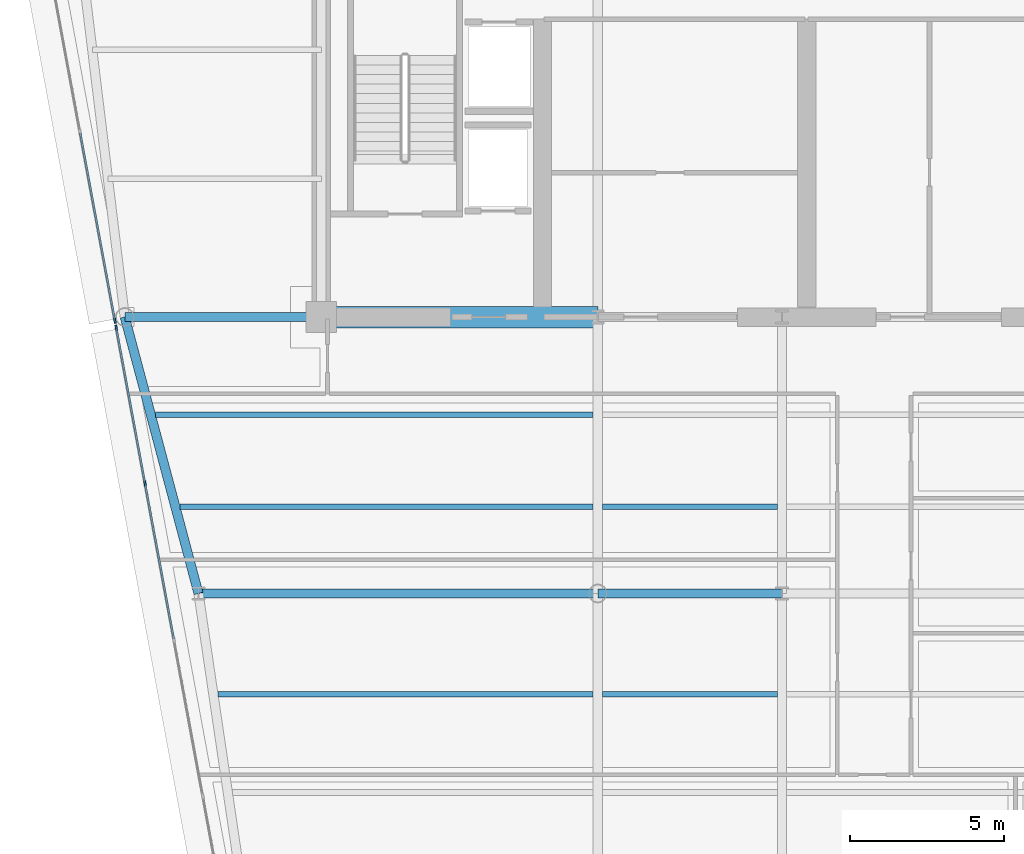
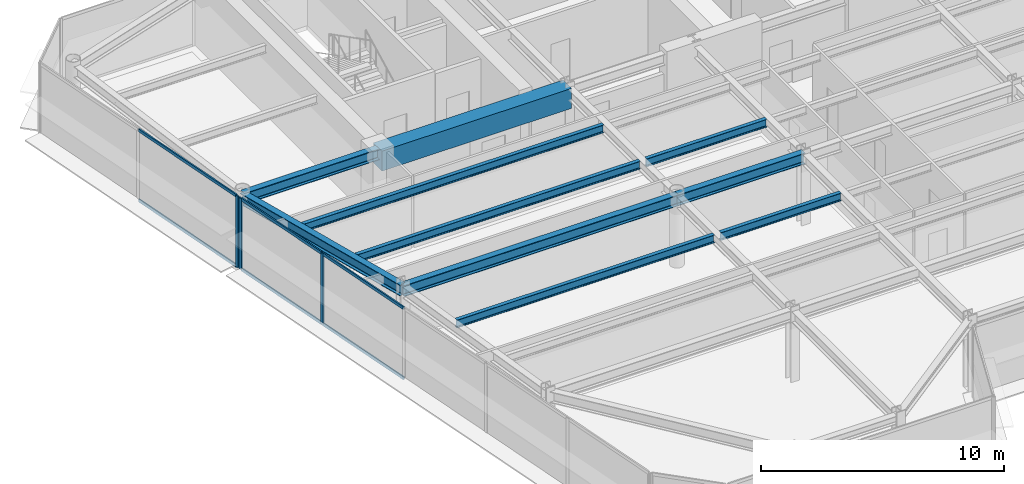
# One storey, part 4 of 16: 10 beams, 9 members, 2 elements without a shape of their own.
"""IFC4 building model written with IfcOpenShell, lengths in metres."""

from ifc_helpers import new_model, si_unit, direction, frame, origin, origin_2d, place, context, subcontext, project, spatial, rectangle, i_section, extrude, source, transform, mapped, material, layer, layer_set, material_profile, profile_set, type_object, element, aggregate, save


model = new_model("IFC4")

# Units and contexts
model_context = context("Model", 3, precision=1e-05, world=origin(), true_north=direction((0.0, 1.0)))
body_context = subcontext(model_context, "Body", "Model", "MODEL_VIEW")
ifc_project = project(units=[si_unit("LENGTHUNIT", "METRE"), si_unit("AREAUNIT", "SQUARE_METRE"), si_unit("VOLUMEUNIT", "CUBIC_METRE"), si_unit("PLANEANGLEUNIT", "RADIAN"), si_unit("MASSUNIT", "GRAM", prefix="KILO")], contexts=[model_context])

# Site, building, storey
site_placement = place(None, origin())
site = spatial("IfcSite", under=ifc_project, at=site_placement, CompositionType="ELEMENT")
building_placement = place(site_placement, origin())
building = spatial("IfcBuilding", under=site, at=building_placement, Name="Vaeldorn Concourse Tower", CompositionType="ELEMENT")
storey_placement = place(building_placement, frame((0.0, 0.0, 227.0)))
storey = spatial("IfcBuildingStorey", under=building, at=storey_placement, Name="L58", CompositionType="ELEMENT", Elevation=227.0)

# Beams
ifc_material_1 = material(Name="Concrete C50/60", Category="concrete")
ifc_material_profile_1 = material_profile(ifc_material_1, rectangle(XDim=0.699951171875, YDim=1.0, at=origin_2d()), Name="RC 700x1000")
ifc_profile_set_1 = profile_set([ifc_material_profile_1], Name="Concrete C50/60")
beam_type_1 = type_object("IfcBeamType", Name="BM-CB-RC700", PredefinedType="BEAM", material=ifc_profile_set_1)
shared_shape_1 = source(origin(), body_context, "Body", "SweptSolid", [
    extrude(rectangle(XDim=0.699951171875, YDim=1.0, at=origin_2d()), origin(), (0.0, 0.0, 1.0), 9.0),
])
beam_1_placement = place(storey_placement, frame((14.0, 36.5, 3.080078125), z_axis=(1.0, 0.0, 0.0), x_axis=(0.0, 1.0, 0.0)))
element("IfcBeam", 1, at=beam_1_placement, inside=storey, type_object=beam_type_1, Name="Core Coupling Beam L58-1", PredefinedType="BEAM", context=body_context, shape_type="MappedRepresentation", body=[
    mapped(shared_shape_1, transform((0.0, 0.0, 0.0), scale=1.0)),
])
ifc_material_2 = material(Name="Steel S355", Category="steel")
ifc_material_profile_2 = material_profile(ifc_material_2, i_section(OverallWidth=0.179931640625, OverallDepth=0.39990234375, WebThickness=0.008544921875, FlangeThickness=0.013427734375, FilletRadius=0.02099609375, at=origin_2d()), Name="IPE 400")
ifc_profile_set_2 = profile_set([ifc_material_profile_2], Name="Steel S355")
beam_type_2 = type_object("IfcBeamType", Name="BM-JS-IPE400", PredefinedType="JOIST", material=ifc_profile_set_2)
shared_shape_2 = source(origin(), body_context, "Body", "SweptSolid", [
    extrude(i_section(OverallWidth=0.179931640625, OverallDepth=0.39990234375, WebThickness=0.008544921875, FlangeThickness=0.013427734375, FilletRadius=0.02099609375, at=origin_2d()), origin(), (0.0, 0.0, 1.0), 5.7001953125),
])
for number, where, z_axis, x_axis, name in (
    (2, (23.14990234375, 24.219970703125, 3.3798828125), (1.0, 0.0, 0.0), (0.0, 1.0, 0.0), "Beam JS-L58-W2-242"),
    (3, (23.14990234375, 30.320068359375, 3.3798828125), (1.0, 0.0, 0.0), (0.0, 1.0, 0.0), "Beam JS-L58-W2-303"),
):
    element("IfcBeam", number, at=place(storey_placement, frame(where, z_axis=z_axis, x_axis=x_axis)), inside=storey, type_object=beam_type_2, Name=name, PredefinedType="JOIST", context=body_context, shape_type="MappedRepresentation", body=[
        mapped(shared_shape_2, transform((0.0, 0.0, 0.0), scale=1.0)),
    ])
shared_shape_3 = source(origin(), body_context, "Body", "SweptSolid", [
    extrude(i_section(OverallWidth=0.179931640625, OverallDepth=0.39990234375, WebThickness=0.008544921875, FlangeThickness=0.013427734375, FilletRadius=0.02099609375, at=origin_2d()), origin(), (0.0, 0.0, 1.0), 12.216796875),
])
beam_2_placement = place(storey_placement, frame((10.63330078125, 24.219970703125, 3.3798828125), z_axis=(1.0, 0.0, 0.0), x_axis=(0.0, 1.0, 0.0)))
element("IfcBeam", 4, at=beam_2_placement, inside=storey, type_object=beam_type_2, Name="Beam JS-L58-W1-242", PredefinedType="JOIST", context=body_context, shape_type="MappedRepresentation", body=[
    mapped(shared_shape_3, transform((0.0, 0.0, 0.0), scale=1.0)),
])
shared_shape_4 = source(origin(), body_context, "Body", "SweptSolid", [
    extrude(i_section(OverallWidth=0.179931640625, OverallDepth=0.39990234375, WebThickness=0.008544921875, FlangeThickness=0.013427734375, FilletRadius=0.02099609375, at=origin_2d()), origin(), (0.0, 0.0, 1.0), 13.4521484375),
])
beam_3_placement = place(storey_placement, frame((9.39794921875, 30.320068359375, 3.3798828125), z_axis=(1.0, 0.0, 0.0), x_axis=(0.0, 1.0, 0.0)))
element("IfcBeam", 5, at=beam_3_placement, inside=storey, type_object=beam_type_2, Name="Beam JS-L58-W1-303", PredefinedType="JOIST", context=body_context, shape_type="MappedRepresentation", body=[
    mapped(shared_shape_4, transform((0.0, 0.0, 0.0), scale=1.0)),
])
shared_shape_5 = source(origin(), body_context, "Body", "SweptSolid", [
    extrude(i_section(OverallWidth=0.179931640625, OverallDepth=0.39990234375, WebThickness=0.008544921875, FlangeThickness=0.013427734375, FilletRadius=0.02099609375, at=origin_2d()), origin(), (0.0, 0.0, 1.0), 14.252197265625),
])
beam_4_placement = place(storey_placement, frame((8.597900390625, 33.320068359375, 3.3798828125), z_axis=(1.0, 0.0, 0.0), x_axis=(0.0, 1.0, 0.0)))
element("IfcBeam", 6, at=beam_4_placement, inside=storey, type_object=beam_type_2, Name="Beam JS-L58-W1-333", PredefinedType="JOIST", context=body_context, shape_type="MappedRepresentation", body=[
    mapped(shared_shape_5, transform((0.0, 0.0, 0.0), scale=1.0)),
])
ifc_material_profile_3 = material_profile(ifc_material_2, i_section(OverallWidth=0.300048828125, OverallDepth=0.550048828125, WebThickness=0.014892578125, FlangeThickness=0.029052734375, FilletRadius=0.027099609375, at=origin_2d()), Name="HEB 550")
ifc_profile_set_3 = profile_set([ifc_material_profile_3], Name="Steel S355")
beam_type_3 = type_object("IfcBeamType", Name="BM-PG-HEB550", PredefinedType="BEAM", material=ifc_profile_set_3)
shared_shape_6 = source(origin(), body_context, "Body", "SweptSolid", [
    extrude(i_section(OverallWidth=0.300048828125, OverallDepth=0.550048828125, WebThickness=0.014892578125, FlangeThickness=0.029052734375, FilletRadius=0.027099609375, at=origin_2d()), origin(), (0.0, 0.0, 1.0), 6.0),
])
beam_5_placement = place(storey_placement, frame((23.0, 27.5, 3.304931640625), z_axis=(1.0, 0.0, 0.0), x_axis=(0.0, 1.0, 0.0)))
element("IfcBeam", 7, at=beam_5_placement, inside=storey, type_object=beam_type_3, Name="Beam BM-L58-C-TW1-C-TW2", PredefinedType="BEAM", context=body_context, shape_type="MappedRepresentation", body=[
    mapped(shared_shape_6, transform((0.0, 0.0, 0.0), scale=1.0)),
])
shared_shape_7 = source(origin(), body_context, "Body", "SweptSolid", [
    extrude(i_section(OverallWidth=0.300048828125, OverallDepth=0.550048828125, WebThickness=0.014892578125, FlangeThickness=0.029052734375, FilletRadius=0.027099609375, at=origin_2d()), origin(), (0.0, 0.0, 1.0), 6.39990234375),
])
beam_6_placement = place(storey_placement, frame((7.60009765625, 36.5, 3.304931640625), z_axis=(1.0, 0.0, 0.0), x_axis=(0.0, 1.0, 0.0)))
element("IfcBeam", 8, at=beam_6_placement, inside=storey, type_object=beam_type_3, Name="Beam BM-L58-C-NW2-C-FC1", PredefinedType="BEAM", context=body_context, shape_type="MappedRepresentation", body=[
    mapped(shared_shape_7, transform((0.0, 0.0, 0.0), scale=1.0)),
])
shared_shape_8 = source(origin(), body_context, "Body", "SweptSolid", [
    extrude(i_section(OverallWidth=0.300048828125, OverallDepth=0.550048828125, WebThickness=0.014892578125, FlangeThickness=0.029052734375, FilletRadius=0.027099609375, at=origin_2d()), origin(), (0.0, 0.0, 1.0), 9.314453125),
])
beam_7_placement = place(storey_placement, frame((7.60009765625, 36.5, 3.304931640625), z_axis=(0.257652862255, -0.966237549763, 0.0), x_axis=(0.966237549763, 0.257652862255, 0.0)))
element("IfcBeam", 9, at=beam_7_placement, inside=storey, type_object=beam_type_3, Name="Beam BM-L58-C-NW2-C-FLW1", PredefinedType="BEAM", context=body_context, shape_type="MappedRepresentation", body=[
    mapped(shared_shape_8, transform((0.0, 0.0, 0.0), scale=1.0)),
])
shared_shape_9 = source(origin(), body_context, "Body", "SweptSolid", [
    extrude(i_section(OverallWidth=0.300048828125, OverallDepth=0.550048828125, WebThickness=0.014892578125, FlangeThickness=0.029052734375, FilletRadius=0.027099609375, at=origin_2d()), origin(), (0.0, 0.0, 1.0), 13.0),
])
beam_8_placement = place(storey_placement, frame((10.0, 27.5, 3.304931640625), z_axis=(1.0, 0.0, 0.0), x_axis=(0.0, 1.0, 0.0)))
element("IfcBeam", 10, at=beam_8_placement, inside=storey, type_object=beam_type_3, Name="Beam BM-L58-C-FLW1-C-TW1", PredefinedType="BEAM", context=body_context, shape_type="MappedRepresentation", body=[
    mapped(shared_shape_9, transform((0.0, 0.0, 0.0), scale=1.0)),
])

# Curtain wall, member
ifc_material_3 = material(Name="Anodised Bronze Aluminium", Category="aluminium")
ifc_layer = layer(ifc_material_3, 0.179931640625)
ifc_layer_set = layer_set([ifc_layer], Name="Anodised Bronze Aluminium")
curtain_wall_type = type_object("IfcCurtainWallType", Name="CW-SYS-05", PredefinedType="NOTDEFINED", material=ifc_layer_set)
curtain_wall_1_placement = place(storey_placement, origin())
curtain_wall_1 = element("IfcCurtainWall", 11, at=curtain_wall_1_placement, inside=storey, type_object=curtain_wall_type, Name="Unitised Curtain Wall CW-L58-E11-1", PredefinedType="NOTDEFINED")
ifc_material_profile_4 = material_profile(ifc_material_3, rectangle(XDim=0.06494140625, YDim=0.169921875, at=origin_2d()), Name="CWM 65x170")
ifc_profile_set_4 = profile_set([ifc_material_profile_4], Name="Anodised Bronze Aluminium")
member_type_1 = type_object("IfcMemberType", Name="CWM-BRONZE-170", PredefinedType="MULLION", material=ifc_profile_set_4)
shared_shape_10 = source(origin(), body_context, "Body", "SweptSolid", [
    extrude(rectangle(XDim=0.06494140625, YDim=0.169921875, at=origin_2d()), origin(), (0.0, 0.0, 1.0), 3.580078125),
])
member_1_placement = place(storey_placement, frame((7.279052734375, 36.37890625, 0.0), z_axis=(0.0, 0.0, 1.0), x_axis=(0.983319198447, 0.181888300792, 0.0)))
member_1 = element("IfcMember", 12, at=member_1_placement, type_object=member_type_1, Name="CW-05 mullion 3", PredefinedType="MULLION", context=body_context, shape_type="MappedRepresentation", body=[
    mapped(shared_shape_10, transform((0.0, 0.0, 0.0), scale=1.0)),
])

# Curtain wall, members
curtain_wall_2_placement = place(storey_placement, origin())
curtain_wall_2 = element("IfcCurtainWall", 13, at=curtain_wall_2_placement, inside=storey, type_object=curtain_wall_type, Name="Unitised Curtain Wall CW-L58-E11-2", PredefinedType="NOTDEFINED")
member_2_placement = place(storey_placement, frame((7.32080078125, 36.153076171875, 0.0), z_axis=(0.0, 0.0, 1.0), x_axis=(0.98331890588, 0.181889882456, 0.0)))
member_2 = element("IfcMember", 14, at=member_2_placement, type_object=member_type_1, Name="CW-05 mullion 1", PredefinedType="MULLION", context=body_context, shape_type="MappedRepresentation", body=[
    mapped(shared_shape_10, transform((0.0, 0.0, 0.0), scale=1.0)),
])
member_3_placement = place(storey_placement, frame((8.2578125, 31.087890625, 0.0), z_axis=(0.0, 0.0, 1.0), x_axis=(0.98331890588, 0.181889882456, 0.0)))
member_3 = element("IfcMember", 15, at=member_3_placement, type_object=member_type_1, Name="CW-05 mullion 2", PredefinedType="MULLION", context=body_context, shape_type="MappedRepresentation", body=[
    mapped(shared_shape_10, transform((0.0, 0.0, 0.0), scale=1.0)),
])
ifc_material_profile_5 = material_profile(ifc_material_3, rectangle(XDim=0.06494140625, YDim=0.14990234375, at=origin_2d()), Name="CWT 65x150")
ifc_profile_set_5 = profile_set([ifc_material_profile_5], Name="Anodised Bronze Aluminium")
member_type_2 = type_object("IfcMemberType", Name="CWT-BRONZE-150", PredefinedType="USERDEFINED", material=ifc_profile_set_5)
shared_shape_11 = source(origin(), body_context, "Body", "SweptSolid", [
    extrude(rectangle(XDim=0.06494140625, YDim=0.14990234375, at=origin_2d()), origin(), (0.0, 0.0, 1.0), 5.0859375),
])
member_4_placement = place(storey_placement, frame((7.32666015625, 36.12109375, 0.032470703125), z_axis=(0.181879549724, -0.983320817125, 0.0), x_axis=(0.983320817125, 0.181879549724, 0.0)))
member_4 = element("IfcMember", 16, at=member_4_placement, type_object=member_type_2, Name="CW-05 transom 1.1", ObjectType="TRANSOM", PredefinedType="USERDEFINED", context=body_context, shape_type="MappedRepresentation", body=[
    mapped(shared_shape_11, transform((0.0, 0.0, 0.0), scale=1.0)),
])
member_5_placement = place(storey_placement, frame((7.32666015625, 36.12109375, 3.547607421875), z_axis=(0.181879549724, -0.983320817125, 0.0), x_axis=(0.983320817125, 0.181879549724, 0.0)))
member_5 = element("IfcMember", 17, at=member_5_placement, type_object=member_type_2, Name="CW-05 transom 1.2", ObjectType="TRANSOM", PredefinedType="USERDEFINED", context=body_context, shape_type="MappedRepresentation", body=[
    mapped(shared_shape_11, transform((0.0, 0.0, 0.0), scale=1.0)),
])
shared_shape_12 = source(origin(), body_context, "Body", "SweptSolid", [
    extrude(rectangle(XDim=0.06494140625, YDim=0.14990234375, at=origin_2d()), origin(), (0.0, 0.0, 1.0), 5.11865234375),
])
member_6_placement = place(storey_placement, frame((8.263671875, 31.05615234375, 0.032470703125), z_axis=(0.181868925515, -0.983322782169, 0.0), x_axis=(0.983322782169, 0.181868925515, 0.0)))
member_6 = element("IfcMember", 18, at=member_6_placement, type_object=member_type_2, Name="CW-05 transom 2.1", ObjectType="TRANSOM", PredefinedType="USERDEFINED", context=body_context, shape_type="MappedRepresentation", body=[
    mapped(shared_shape_12, transform((0.0, 0.0, 0.0), scale=1.0)),
])
member_7_placement = place(storey_placement, frame((8.263671875, 31.05615234375, 3.547607421875), z_axis=(0.181868925515, -0.983322782169, 0.0), x_axis=(0.983322782169, 0.181868925515, 0.0)))
member_7 = element("IfcMember", 19, at=member_7_placement, type_object=member_type_2, Name="CW-05 transom 2.2", ObjectType="TRANSOM", PredefinedType="USERDEFINED", context=body_context, shape_type="MappedRepresentation", body=[
    mapped(shared_shape_12, transform((0.0, 0.0, 0.0), scale=1.0)),
])
aggregate(curtain_wall_2, [member_2, member_3, member_4, member_5, member_6, member_7])

# Member
shared_shape_13 = source(origin(), body_context, "Body", "SweptSolid", [
    extrude(rectangle(XDim=0.06494140625, YDim=0.14990234375, at=origin_2d()), origin(), (0.0, 0.0, 1.0), 6.183837890625),
])
member_8_placement = place(storey_placement, frame((6.1484375, 42.491455078125, 0.032470703125), z_axis=(0.181889913007, -0.983318900228, 0.0), x_axis=(0.983318900228, 0.181889913007, 0.0)))
member_8 = element("IfcMember", 20, at=member_8_placement, type_object=member_type_2, Name="CW-05 transom 2.1", ObjectType="TRANSOM", PredefinedType="USERDEFINED", context=body_context, shape_type="MappedRepresentation", body=[
    mapped(shared_shape_13, transform((0.0, 0.0, 0.0), scale=1.0)),
])

member_9_placement = place(storey_placement, frame((6.1484375, 42.491455078125, 3.547607421875), z_axis=(0.181889913007, -0.983318900228, 0.0), x_axis=(0.983318900228, 0.181889913007, 0.0)))
member_9 = element("IfcMember", 21, at=member_9_placement, type_object=member_type_2, Name="CW-05 transom 2.2", ObjectType="TRANSOM", PredefinedType="USERDEFINED", context=body_context, shape_type="MappedRepresentation", body=[
    mapped(shared_shape_13, transform((0.0, 0.0, 0.0), scale=1.0)),
])

aggregate(curtain_wall_1, [member_1, member_8, member_9])

save(model, "model.ifc")
